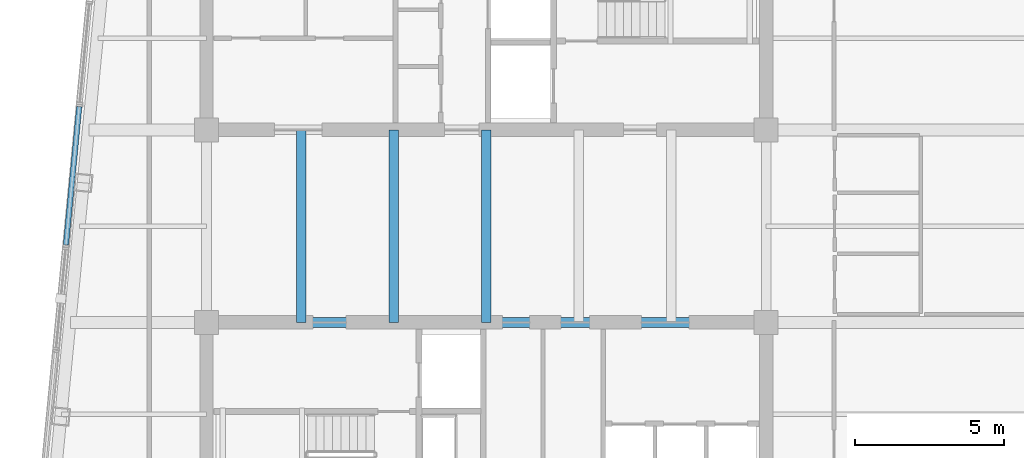
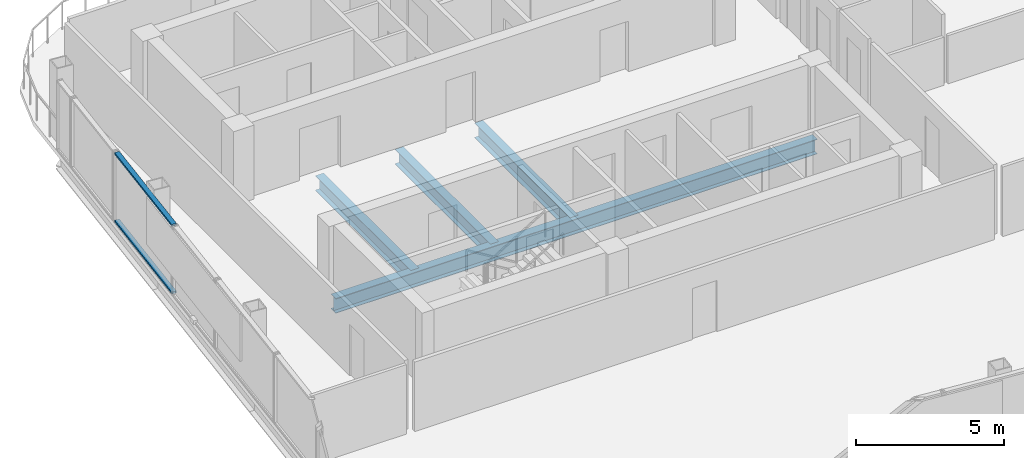
# One storey, part 8 of 22: 4 beams, 2 members, 1 element without a shape of its own.
"""IFC4 building model written with IfcOpenShell, lengths in metres."""

from ifc_helpers import new_model, si_unit, direction, frame, origin, origin_2d, place, context, subcontext, project, spatial, hollow_rectangle, i_section, extrude, material, layer, layer_set, material_profile, profile_set, type_object, element, aggregate, save


model = new_model("IFC4")

# Units and contexts
model_context = context("Model", 3, precision=1e-05, world=origin(), true_north=direction((0.0, 1.0)))
body_context = subcontext(model_context, "Body", "Model", "MODEL_VIEW")
ifc_project = project(units=[si_unit("LENGTHUNIT", "METRE"), si_unit("AREAUNIT", "SQUARE_METRE"), si_unit("VOLUMEUNIT", "CUBIC_METRE"), si_unit("PLANEANGLEUNIT", "RADIAN"), si_unit("MASSUNIT", "GRAM", prefix="KILO")], contexts=[model_context])

# Site, building, storey
site_placement = place(None, origin())
site = spatial("IfcSite", under=ifc_project, at=site_placement, CompositionType="ELEMENT")
building_placement = place(site_placement, origin())
building = spatial("IfcBuilding", under=site, at=building_placement, Name="Qhalaya Broadcast Tower", CompositionType="ELEMENT")
storey_placement = place(building_placement, frame((0.0, 0.0, 245.89990234375)))
storey = spatial("IfcBuildingStorey", under=building, at=storey_placement, Name="L72", CompositionType="ELEMENT", Elevation=245.89990234375)

# Beams
ifc_material_1 = material(Name="Structural Steel ASTM A992 Grade 50", Category="steel")
ifc_material_profile_1 = material_profile(ifc_material_1, i_section(OverallWidth=0.323974609375, OverallDepth=0.612060546875, WebThickness=0.0126953125, FlangeThickness=0.01904296875, at=origin_2d()), Name="W24X104")
ifc_profile_set_1 = profile_set([ifc_material_profile_1], Name="Structural Steel ASTM A992 Grade 50")
beam_type = type_object("IfcBeamType", Name="Core Frame Tie Beam B04", PredefinedType="BEAM", material=ifc_profile_set_1)
beam_placement = place(storey_placement, frame((-9.375, -2.625, -0.495849609375), z_axis=(1.0, 0.0, 0.0), x_axis=(0.0, 1.0, 0.0)))
element("IfcBeam", 1, at=beam_placement, inside=storey, type_object=beam_type, Name="L72 B04 L72-CCS1", PredefinedType="BEAM", context=body_context, shape_type="SweptSolid", body=[
    extrude(i_section(OverallWidth=0.323974609375, OverallDepth=0.612060546875, WebThickness=0.0126953125, FlangeThickness=0.01904296875, at=origin_2d()), origin(), (0.0, 0.0, 1.0), 18.75),
])
for number, where, z_axis, x_axis, name in (
    (2, (-6.199951171875, -2.625, -0.495849609375), (0.0, 1.0, 0.0), (-1.0, 0.0, 0.0), "L72 B04 L72-JC1-1"),
    (3, (-3.10009765625, -2.625, -0.495849609375), (0.0, 1.0, 0.0), (-1.0, 0.0, 0.0), "L72 B04 L72-JC2-1"),
    (4, (0.0, -2.625, -0.495849609375), (0.0, 1.0, 0.0), (-1.0, 0.0, 0.0), "L72 B04 L72-JC3-1"),
):
    element("IfcBeam", number, at=place(storey_placement, frame(where, z_axis=z_axis, x_axis=x_axis)), inside=storey, type_object=beam_type, Name=name, PredefinedType="BEAM", context=body_context, shape_type="SweptSolid", body=[
        extrude(i_section(OverallWidth=0.323974609375, OverallDepth=0.612060546875, WebThickness=0.0126953125, FlangeThickness=0.01904296875, at=origin_2d()), origin(), (0.0, 0.0, 1.0), 6.449951171875),
    ])

# Curtain wall, members
ifc_material_2 = material(Name="Fired Architectural Terracotta", Category="masonry")
ifc_layer = layer(ifc_material_2, 0.219970703125, Name="Fired Architectural Terracotta")
ifc_layer_set = layer_set([ifc_layer], Name="Fired Architectural Terracotta")
curtain_wall_type = type_object("IfcCurtainWallType", Name="Block-Cap Unitised Terracotta Spandrel Wall CW-07", PredefinedType="NOTDEFINED", material=ifc_layer_set)
curtain_wall_placement = place(storey_placement, origin())
curtain_wall = element("IfcCurtainWall", 5, at=curtain_wall_placement, inside=storey, type_object=curtain_wall_type, Name="L72 Unitised Curtain Wall L72-CW-W3", PredefinedType="NOTDEFINED")
ifc_material_3 = material(Name="Anodised Aluminium 6063-T6", Category="aluminium")
ifc_material_profile_2 = material_profile(ifc_material_3, hollow_rectangle(XDim=0.074951171875, YDim=0.179931640625, WallThickness=0.00390625, at=origin_2d()), Name="ALU-TRN 75x180x4")
ifc_profile_set_2 = profile_set([ifc_material_profile_2], Name="Anodised Aluminium 6063-T6")
member_type = type_object("IfcMemberType", Name="Unitised Curtain-Wall Transom T01", PredefinedType="USERDEFINED", material=ifc_profile_set_2)
member_1_placement = place(storey_placement, frame((-13.63818359375, 4.60595703125, 0.03759765625), z_axis=(-0.095865210868, -0.995394324549, 0.0), x_axis=(0.0, 0.0, 1.0)))
member_1 = element("IfcMember", 6, at=member_1_placement, type_object=member_type, Name="CW-07 transom 1.1", ObjectType="TRANSOM", PredefinedType="USERDEFINED", context=body_context, shape_type="SweptSolid", body=[
    extrude(hollow_rectangle(XDim=0.074951171875, YDim=0.179931640625, WallThickness=0.00390625, at=origin_2d()), origin(), (0.0, 0.0, 1.0), 4.657958984375),
])
member_2_placement = place(storey_placement, frame((-13.63818359375, 4.60595703125, 2.822509765625), z_axis=(-0.095865210868, -0.995394324549, 0.0), x_axis=(0.0, 0.0, 1.0)))
member_2 = element("IfcMember", 7, at=member_2_placement, type_object=member_type, Name="CW-07 transom 1.2", ObjectType="TRANSOM", PredefinedType="USERDEFINED", context=body_context, shape_type="SweptSolid", body=[
    extrude(hollow_rectangle(XDim=0.074951171875, YDim=0.179931640625, WallThickness=0.00390625, at=origin_2d()), origin(), (0.0, 0.0, 1.0), 4.657958984375),
])
aggregate(curtain_wall, [member_1, member_2])

save(model, "model.ifc")
